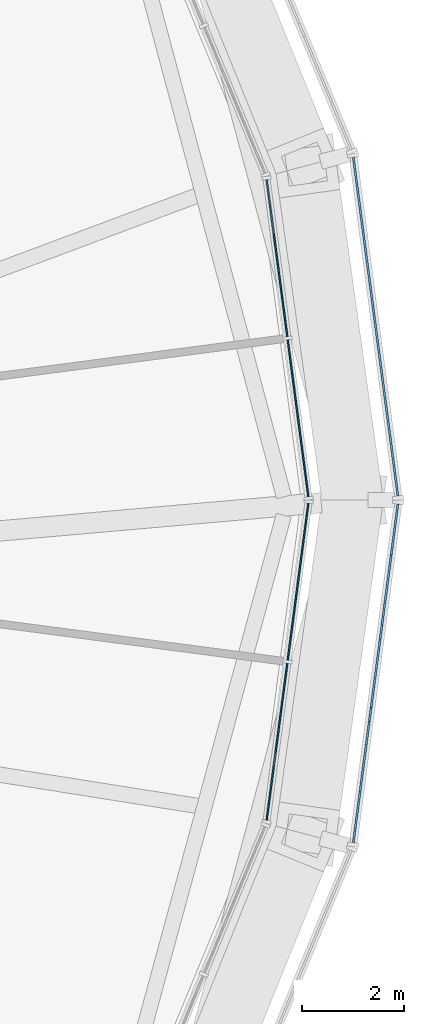
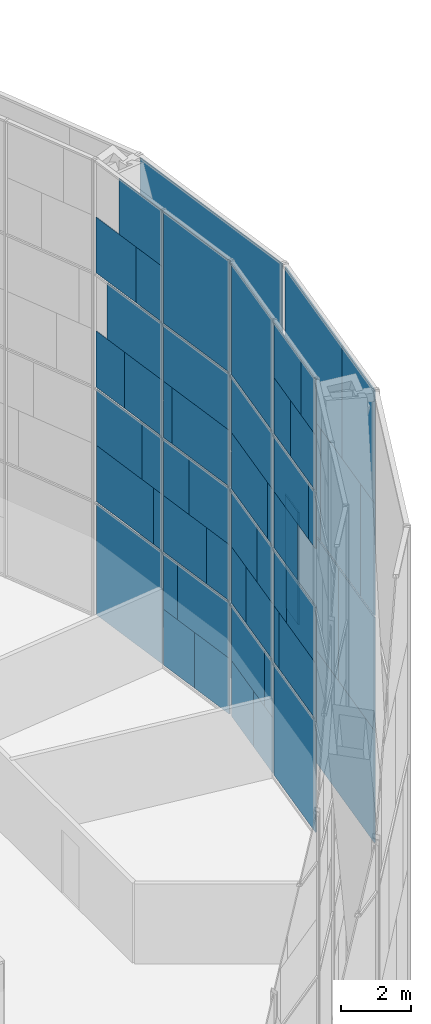
# One storey, part 20 of 29: 59 plates, 4 elements without a shape of their own.
"""IFC4 building model written with IfcOpenShell, lengths in metres."""

from ifc_helpers import new_model, si_unit, direction, frame, origin, origin_2d, place, context, subcontext, project, spatial, rectangle, extrude, material, layer, layer_set, type_object, element, aggregate, save


model = new_model("IFC4")

# Units and contexts
model_context = context("Model", 3, precision=1e-05, world=origin(), true_north=direction((0.0, 1.0)))
body_context = subcontext(model_context, "Body", "Model", "MODEL_VIEW")
ifc_project = project(units=[si_unit("LENGTHUNIT", "METRE"), si_unit("AREAUNIT", "SQUARE_METRE"), si_unit("VOLUMEUNIT", "CUBIC_METRE"), si_unit("PLANEANGLEUNIT", "RADIAN"), si_unit("MASSUNIT", "GRAM", prefix="KILO")], contexts=[model_context])

# Site, building, storey
site_placement = place(None, origin())
site = spatial("IfcSite", under=ifc_project, at=site_placement, CompositionType="ELEMENT")
building_placement = place(site_placement, origin())
building = spatial("IfcBuilding", under=site, at=building_placement, Name="Golbaran Civic Tower", CompositionType="ELEMENT")
storey_placement = place(building_placement, frame((0.0, 0.0, 118.0)))
storey = spatial("IfcBuildingStorey", under=building, at=storey_placement, Name="L28", CompositionType="ELEMENT", Elevation=118.0)

# Curtain wall, plates
ifc_material_1 = material(Name="Aluminium and glass", Category="aluminium")
curtain_wall_type_1 = type_object("IfcCurtainWallType", Name="INNER SKIN CURTAIN WALL", PredefinedType="NOTDEFINED", material=ifc_material_1)
curtain_wall_1_placement = place(storey_placement, origin())
curtain_wall_1 = element("IfcCurtainWall", 1, at=curtain_wall_1_placement, inside=storey, type_object=curtain_wall_type_1, Name="Inner skin L28 facet 1 CW1", ObjectType="INNER SKIN", PredefinedType="USERDEFINED")
ifc_material_2 = material(Name="Clear insulating glass", Category="glass")
ifc_layer_1 = layer(ifc_material_2, 0.031982421875, Name="Clear insulating glass")
ifc_layer_set_1 = layer_set([ifc_layer_1], Name="Clear insulating glass")
plate_type_1 = type_object("IfcPlateType", Name="INNER SKIN CURTAIN WALL GLAZED PANEL", PredefinedType="CURTAIN_PANEL", material=ifc_layer_set_1)
plate_1_placement = place(storey_placement, frame((24.215576171875, 2.41943359375, 0.06494140625), z_axis=(0.0, 0.0, 1.0), x_axis=(-0.130526192237, 0.991444861372, 0.0)))
plate_1 = element("IfcPlate", 2, at=plate_1_placement, type_object=plate_type_1, Name="CW1 panel 1.1 part 2", PredefinedType="CURTAIN_PANEL", context=body_context, shape_type="SweptSolid", body=[
    extrude(rectangle(XDim=1.458740234375, YDim=0.031982421875, at=origin_2d()), origin(), (0.0, 0.0, 1.0), 1.951171875),
])
plate_2_placement = place(storey_placement, frame((24.162841796875, 2.819580078125, 2.016357421875), z_axis=(0.0, 0.0, 1.0), x_axis=(-0.130526192237, 0.991444861372, 0.0)))
plate_2 = element("IfcPlate", 3, at=plate_2_placement, type_object=plate_type_1, Name="CW1 panel 1.1 part 4", PredefinedType="CURTAIN_PANEL", context=body_context, shape_type="SweptSolid", body=[
    extrude(rectangle(XDim=0.65185546875, YDim=0.031982421875, at=origin_2d()), origin(), (0.0, 0.0, 1.0), 1.951171875),
])
plate_3_placement = place(storey_placement, frame((24.454345703125, 0.605224609375, 4.03271484375), z_axis=(0.0, 0.0, 1.0), x_axis=(-0.130526192237, 0.991444861372, 0.0)))
plate_3 = element("IfcPlate", 4, at=plate_3_placement, type_object=plate_type_1, Name="CW1 panel 1.2 part 1", PredefinedType="CURTAIN_PANEL", context=body_context, shape_type="SweptSolid", body=[
    extrude(rectangle(XDim=1.091064453125, YDim=0.031982421875, at=origin_2d()), origin(), (0.0, 0.0, 1.0), 1.967529296875),
])
plate_4_placement = place(storey_placement, frame((24.401123046875, 1.0087890625, 6.0), z_axis=(0.0, 0.0, 1.0), x_axis=(-0.130526192237, 0.991444861372, 0.0)))
plate_4 = element("IfcPlate", 5, at=plate_4_placement, type_object=plate_type_1, Name="CW1 panel 1.2 part 3", PredefinedType="CURTAIN_PANEL", context=body_context, shape_type="SweptSolid", body=[
    extrude(rectangle(XDim=1.905029296875, YDim=0.031982421875, at=origin_2d()), origin(), (0.0, 0.0, 1.0), 1.967529296875),
])
plate_5_placement = place(storey_placement, frame((24.34912109375, 1.404296875, 8.03271484375), z_axis=(0.0, 0.0, 1.0), x_axis=(-0.130526192237, 0.991444861372, 0.0)))
plate_5 = element("IfcPlate", 6, at=plate_5_placement, type_object=plate_type_1, Name="CW1 panel 1.3 part 1", PredefinedType="CURTAIN_PANEL", context=body_context, shape_type="SweptSolid", body=[
    extrude(rectangle(XDim=2.702880859375, YDim=0.031982421875, at=origin_2d()), origin(), (0.0, 0.0, 1.0), 1.967529296875),
])
plate_6_placement = place(storey_placement, frame((24.322998046875, 1.603515625, 10.0), z_axis=(0.0, 0.0, 1.0), x_axis=(-0.130526192237, 0.991444861372, 0.0)))
plate_6 = element("IfcPlate", 7, at=plate_6_placement, type_object=plate_type_1, Name="CW1 panel 1.3 part 3", PredefinedType="CURTAIN_PANEL", context=body_context, shape_type="SweptSolid", body=[
    extrude(rectangle(XDim=3.104736328125, YDim=0.031982421875, at=origin_2d()), origin(), (0.0, 0.0, 1.0), 1.967529296875),
])
plate_7_placement = place(storey_placement, frame((24.322998046875, 1.603515625, 12.0322265625), z_axis=(0.0, 0.0, 1.0), x_axis=(-0.130526192237, 0.991444861372, 0.0)))
plate_7 = element("IfcPlate", 8, at=plate_7_placement, type_object=plate_type_1, Name="CW1 panel 1.4", PredefinedType="CURTAIN_PANEL", context=body_context, shape_type="SweptSolid", body=[
    extrude(rectangle(XDim=3.104736328125, YDim=0.031982421875, at=origin_2d()), origin(), (0.0, 0.0, 1.0), 3.902587890625),
])
plate_8_placement = place(storey_placement, frame((23.9091796875, 4.746337890625, 0.06494140625), z_axis=(0.0, 0.0, 1.0), x_axis=(-0.130526192237, 0.991444861372, 0.0)))
plate_8 = element("IfcPlate", 9, at=plate_8_placement, type_object=plate_type_1, Name="CW1 panel 2.1", PredefinedType="CURTAIN_PANEL", context=body_context, shape_type="SweptSolid", body=[
    extrude(rectangle(XDim=3.104736328125, YDim=0.031982421875, at=origin_2d()), origin(), (0.0, 0.0, 1.0), 3.902587890625),
])
plate_9_placement = place(storey_placement, frame((23.883056640625, 4.945068359375, 4.03271484375), z_axis=(0.0, 0.0, 1.0), x_axis=(-0.130526192237, 0.991444861372, 0.0)))
plate_9 = element("IfcPlate", 10, at=plate_9_placement, type_object=plate_type_1, Name="CW1 panel 2.2 part 2", PredefinedType="CURTAIN_PANEL", context=body_context, shape_type="SweptSolid", body=[
    extrude(rectangle(XDim=2.703857421875, YDim=0.031982421875, at=origin_2d()), origin(), (0.0, 0.0, 1.0), 1.967529296875),
])
plate_10_placement = place(storey_placement, frame((23.847900390625, 5.211669921875, 6.0), z_axis=(0.0, 0.0, 1.0), x_axis=(-0.130526192237, 0.991444861372, 0.0)))
plate_10 = element("IfcPlate", 11, at=plate_10_placement, type_object=plate_type_1, Name="CW1 panel 2.2 part 4", PredefinedType="CURTAIN_PANEL", context=body_context, shape_type="SweptSolid", body=[
    extrude(rectangle(XDim=2.165771484375, YDim=0.031982421875, at=origin_2d()), origin(), (0.0, 0.0, 1.0), 1.967529296875),
])
plate_11_placement = place(storey_placement, frame((23.79296875, 5.628662109375, 8.03271484375), z_axis=(0.0, 0.0, 1.0), x_axis=(-0.130526192237, 0.991444861372, 0.0)))
plate_11 = element("IfcPlate", 12, at=plate_11_placement, type_object=plate_type_1, Name="CW1 panel 2.3 part 2", PredefinedType="CURTAIN_PANEL", context=body_context, shape_type="SweptSolid", body=[
    extrude(rectangle(XDim=1.324951171875, YDim=0.031982421875, at=origin_2d()), origin(), (0.0, 0.0, 1.0), 1.967529296875),
])
plate_12_placement = place(storey_placement, frame((24.03125, 3.81787109375, 12.032470703125), z_axis=(0.0, 0.0, 1.0), x_axis=(-0.130526192237, 0.991444861372, 0.0)))
plate_12 = element("IfcPlate", 13, at=plate_12_placement, type_object=plate_type_1, Name="CW1 panel 2.4 part 1", PredefinedType="CURTAIN_PANEL", context=body_context, shape_type="SweptSolid", body=[
    extrude(rectangle(XDim=1.23193359375, YDim=0.031982421875, at=origin_2d()), origin(), (0.0, 0.0, 1.0), 1.951171875),
])
plate_13_placement = place(storey_placement, frame((23.978515625, 4.218505859375, 13.98388671875), z_axis=(0.0, 0.0, 1.0), x_axis=(-0.130526192237, 0.991444861372, 0.0)))
plate_13 = element("IfcPlate", 14, at=plate_13_placement, type_object=plate_type_1, Name="CW1 panel 2.4 part 3", PredefinedType="CURTAIN_PANEL", context=body_context, shape_type="SweptSolid", body=[
    extrude(rectangle(XDim=2.0400390625, YDim=0.031982421875, at=origin_2d()), origin(), (0.0, 0.0, 1.0), 1.951171875),
])

curtain_wall_2_placement = place(storey_placement, origin())
curtain_wall_2 = element("IfcCurtainWall", 15, at=curtain_wall_2_placement, inside=storey, type_object=curtain_wall_type_1, Name="Inner skin L28 facet 24 CW1", ObjectType="INNER SKIN", PredefinedType="USERDEFINED")
plate_14_placement = place(storey_placement, frame((23.9091796875, -4.746337890625, 0.06494140625), z_axis=(0.0, 0.0, 1.0), x_axis=(0.130526192237, 0.991444861372, 0.0)))
plate_14 = element("IfcPlate", 16, at=plate_14_placement, type_object=plate_type_1, Name="CW1 panel 1.1", PredefinedType="CURTAIN_PANEL", context=body_context, shape_type="SweptSolid", body=[
    extrude(rectangle(XDim=3.104736328125, YDim=0.031982421875, at=origin_2d()), origin(), (0.0, 0.0, 1.0), 3.902587890625),
])
plate_15_placement = place(storey_placement, frame((23.8828125, -4.945556640625, 4.03271484375), z_axis=(0.0, 0.0, 1.0), x_axis=(0.130526192237, 0.991444861372, 0.0)))
plate_15 = element("IfcPlate", 17, at=plate_15_placement, type_object=plate_type_1, Name="CW1 panel 1.2 part 1", PredefinedType="CURTAIN_PANEL", context=body_context, shape_type="SweptSolid", body=[
    extrude(rectangle(XDim=2.702880859375, YDim=0.031982421875, at=origin_2d()), origin(), (0.0, 0.0, 1.0), 1.967529296875),
])
plate_16_placement = place(storey_placement, frame((23.847900390625, -5.211669921875, 6.0), z_axis=(0.0, 0.0, 1.0), x_axis=(0.130526192237, 0.991444861372, 0.0)))
plate_16 = element("IfcPlate", 18, at=plate_16_placement, type_object=plate_type_1, Name="CW1 panel 1.2 part 3", PredefinedType="CURTAIN_PANEL", context=body_context, shape_type="SweptSolid", body=[
    extrude(rectangle(XDim=2.166015625, YDim=0.031982421875, at=origin_2d()), origin(), (0.0, 0.0, 1.0), 1.967529296875),
])
plate_17_placement = place(storey_placement, frame((23.73974609375, -6.03271484375, 10.0), z_axis=(0.0, 0.0, 1.0), x_axis=(0.130526192237, 0.991444861372, 0.0)))
plate_17 = element("IfcPlate", 19, at=plate_17_placement, type_object=plate_type_1, Name="CW1 panel 1.3 part 3", PredefinedType="CURTAIN_PANEL", context=body_context, shape_type="SweptSolid", body=[
    extrude(rectangle(XDim=0.510009765625, YDim=0.031982421875, at=origin_2d()), origin(), (0.0, 0.0, 1.0), 1.967529296875),
])
plate_18_placement = place(storey_placement, frame((24.031494140625, -3.81787109375, 12.032470703125), z_axis=(0.0, 0.0, 1.0), x_axis=(0.130526192237, 0.991444861372, 0.0)))
plate_18 = element("IfcPlate", 20, at=plate_18_placement, type_object=plate_type_1, Name="CW1 panel 1.4 part 2", PredefinedType="CURTAIN_PANEL", context=body_context, shape_type="SweptSolid", body=[
    extrude(rectangle(XDim=1.23193359375, YDim=0.031982421875, at=origin_2d()), origin(), (0.0, 0.0, 1.0), 1.951171875),
])
plate_19_placement = place(storey_placement, frame((23.978759765625, -4.21826171875, 13.98388671875), z_axis=(0.0, 0.0, 1.0), x_axis=(0.130526192237, 0.991444861372, 0.0)))
plate_19 = element("IfcPlate", 21, at=plate_19_placement, type_object=plate_type_1, Name="CW1 panel 1.4 part 4", PredefinedType="CURTAIN_PANEL", context=body_context, shape_type="SweptSolid", body=[
    extrude(rectangle(XDim=2.039794921875, YDim=0.031982421875, at=origin_2d()), origin(), (0.0, 0.0, 1.0), 1.951171875),
])
plate_20_placement = place(storey_placement, frame((24.215576171875, -2.41943359375, 0.06494140625), z_axis=(0.0, 0.0, 1.0), x_axis=(0.130526192237, 0.991444861372, 0.0)))
plate_20 = element("IfcPlate", 22, at=plate_20_placement, type_object=plate_type_1, Name="CW1 panel 2.1 part 1", PredefinedType="CURTAIN_PANEL", context=body_context, shape_type="SweptSolid", body=[
    extrude(rectangle(XDim=1.458984375, YDim=0.031982421875, at=origin_2d()), origin(), (0.0, 0.0, 1.0), 1.951171875),
])
plate_21_placement = place(storey_placement, frame((24.162841796875, -2.820068359375, 2.016357421875), z_axis=(0.0, 0.0, 1.0), x_axis=(0.130526192237, 0.991444861372, 0.0)))
plate_21 = element("IfcPlate", 23, at=plate_21_placement, type_object=plate_type_1, Name="CW1 panel 2.1 part 3", PredefinedType="CURTAIN_PANEL", context=body_context, shape_type="SweptSolid", body=[
    extrude(rectangle(XDim=0.65087890625, YDim=0.031982421875, at=origin_2d()), origin(), (0.0, 0.0, 1.0), 1.951171875),
])
plate_22_placement = place(storey_placement, frame((24.454345703125, -0.605224609375, 4.03271484375), z_axis=(0.0, 0.0, 1.0), x_axis=(0.130526192237, 0.991444861372, 0.0)))
plate_22 = element("IfcPlate", 24, at=plate_22_placement, type_object=plate_type_1, Name="CW1 panel 2.2 part 2", PredefinedType="CURTAIN_PANEL", context=body_context, shape_type="SweptSolid", body=[
    extrude(rectangle(XDim=1.0908203125, YDim=0.031982421875, at=origin_2d()), origin(), (0.0, 0.0, 1.0), 1.967529296875),
])
plate_23_placement = place(storey_placement, frame((24.401123046875, -1.00927734375, 6.0), z_axis=(0.0, 0.0, 1.0), x_axis=(0.130526192237, 0.991444861372, 0.0)))
plate_23 = element("IfcPlate", 25, at=plate_23_placement, type_object=plate_type_1, Name="CW1 panel 2.2 part 4", PredefinedType="CURTAIN_PANEL", context=body_context, shape_type="SweptSolid", body=[
    extrude(rectangle(XDim=1.90576171875, YDim=0.031982421875, at=origin_2d()), origin(), (0.0, 0.0, 1.0), 1.967529296875),
])
plate_24_placement = place(storey_placement, frame((24.348876953125, -1.4052734375, 8.03271484375), z_axis=(0.0, 0.0, 1.0), x_axis=(0.130526192237, 0.991444861372, 0.0)))
plate_24 = element("IfcPlate", 26, at=plate_24_placement, type_object=plate_type_1, Name="CW1 panel 2.3 part 2", PredefinedType="CURTAIN_PANEL", context=body_context, shape_type="SweptSolid", body=[
    extrude(rectangle(XDim=2.704833984375, YDim=0.031982421875, at=origin_2d()), origin(), (0.0, 0.0, 1.0), 1.967529296875),
])
plate_25_placement = place(storey_placement, frame((24.322998046875, -1.603515625, 10.0), z_axis=(0.0, 0.0, 1.0), x_axis=(0.130526192237, 0.991444861372, 0.0)))
plate_25 = element("IfcPlate", 27, at=plate_25_placement, type_object=plate_type_1, Name="CW1 panel 2.3 part 3", PredefinedType="CURTAIN_PANEL", context=body_context, shape_type="SweptSolid", body=[
    extrude(rectangle(XDim=3.104736328125, YDim=0.031982421875, at=origin_2d()), origin(), (0.0, 0.0, 1.0), 1.967529296875),
])
plate_26_placement = place(storey_placement, frame((24.322998046875, -1.603515625, 12.0322265625), z_axis=(0.0, 0.0, 1.0), x_axis=(0.130526192237, 0.991444861372, 0.0)))
plate_26 = element("IfcPlate", 28, at=plate_26_placement, type_object=plate_type_1, Name="CW1 panel 2.4", PredefinedType="CURTAIN_PANEL", context=body_context, shape_type="SweptSolid", body=[
    extrude(rectangle(XDim=3.104736328125, YDim=0.031982421875, at=origin_2d()), origin(), (0.0, 0.0, 1.0), 3.902587890625),
])

# Plate
ifc_material_3 = material(Name="Aluminium faced opaque infill panel", Category="aluminium")
ifc_layer_2 = layer(ifc_material_3, 0.031982421875, Name="Aluminium faced opaque infill panel")
ifc_layer_set_2 = layer_set([ifc_layer_2], Name="Aluminium faced opaque infill panel")
plate_type_2 = type_object("IfcPlateType", Name="INNER SKIN CURTAIN WALL OPAQUE INFILL PANEL", PredefinedType="CURTAIN_PANEL", material=ifc_layer_set_2)
plate_27_placement = place(storey_placement, frame((24.418212890625, 0.88037109375, 0.06494140625), z_axis=(0.0, 0.0, 1.0), x_axis=(-0.130526192237, 0.991444861372, 0.0)))
plate_27 = element("IfcPlate", 29, at=plate_27_placement, type_object=plate_type_2, Name="CW1 infill panel 1.1 part 1", PredefinedType="CURTAIN_PANEL", context=body_context, shape_type="SweptSolid", body=[
    extrude(rectangle(XDim=1.64599609375, YDim=0.031982421875, at=origin_2d()), origin(), (0.0, 0.0, 1.0), 1.951171875),
])

plate_28_placement = place(storey_placement, frame((24.365478515625, 1.280517578125, 2.016357421875), z_axis=(0.0, 0.0, 1.0), x_axis=(-0.130526192237, 0.991444861372, 0.0)))
plate_28 = element("IfcPlate", 30, at=plate_28_placement, type_object=plate_type_2, Name="CW1 infill panel 1.1 part 3", PredefinedType="CURTAIN_PANEL", context=body_context, shape_type="SweptSolid", body=[
    extrude(rectangle(XDim=2.452880859375, YDim=0.031982421875, at=origin_2d()), origin(), (0.0, 0.0, 1.0), 1.951171875),
])

plate_29_placement = place(storey_placement, frame((24.251708984375, 2.14453125, 4.03271484375), z_axis=(0.0, 0.0, 1.0), x_axis=(-0.130526192237, 0.991444861372, 0.0)))
plate_29 = element("IfcPlate", 31, at=plate_29_placement, type_object=plate_type_2, Name="CW1 infill panel 1.2 part 2", PredefinedType="CURTAIN_PANEL", context=body_context, shape_type="SweptSolid", body=[
    extrude(rectangle(XDim=2.013916015625, YDim=0.031982421875, at=origin_2d()), origin(), (0.0, 0.0, 1.0), 1.967529296875),
])

plate_30_placement = place(storey_placement, frame((24.198486328125, 2.5478515625, 6.0), z_axis=(0.0, 0.0, 1.0), x_axis=(-0.130526192237, 0.991444861372, 0.0)))
plate_30 = element("IfcPlate", 32, at=plate_30_placement, type_object=plate_type_2, Name="CW1 infill panel 1.2 part 4", PredefinedType="CURTAIN_PANEL", context=body_context, shape_type="SweptSolid", body=[
    extrude(rectangle(XDim=1.199951171875, YDim=0.031982421875, at=origin_2d()), origin(), (0.0, 0.0, 1.0), 1.967529296875),
])

plate_31_placement = place(storey_placement, frame((24.146484375, 2.943603515625, 8.03271484375), z_axis=(0.0, 0.0, 1.0), x_axis=(-0.130526192237, 0.991444861372, 0.0)))
plate_31 = element("IfcPlate", 33, at=plate_31_placement, type_object=plate_type_2, Name="CW1 infill panel 1.3 part 2", PredefinedType="CURTAIN_PANEL", context=body_context, shape_type="SweptSolid", body=[
    extrude(rectangle(XDim=0.40185546875, YDim=0.031982421875, at=origin_2d()), origin(), (0.0, 0.0, 1.0), 1.967529296875),
])

plate_32_placement = place(storey_placement, frame((24.085693359375, 3.406005859375, 4.03271484375), z_axis=(0.0, 0.0, 1.0), x_axis=(-0.130526192237, 0.991444861372, 0.0)))
plate_32 = element("IfcPlate", 34, at=plate_32_placement, type_object=plate_type_2, Name="CW1 infill panel 2.2 part 1", PredefinedType="CURTAIN_PANEL", context=body_context, shape_type="SweptSolid", body=[
    extrude(rectangle(XDim=0.40087890625, YDim=0.031982421875, at=origin_2d()), origin(), (0.0, 0.0, 1.0), 1.967529296875),
])

plate_33_placement = place(storey_placement, frame((24.050537109375, 3.672607421875, 6.0), z_axis=(0.0, 0.0, 1.0), x_axis=(-0.130526192237, 0.991444861372, 0.0)))
plate_33 = element("IfcPlate", 35, at=plate_33_placement, type_object=plate_type_2, Name="CW1 infill panel 2.2 part 3", PredefinedType="CURTAIN_PANEL", context=body_context, shape_type="SweptSolid", body=[
    extrude(rectangle(XDim=0.93896484375, YDim=0.031982421875, at=origin_2d()), origin(), (0.0, 0.0, 1.0), 1.967529296875),
])

plate_34_placement = place(storey_placement, frame((23.99560546875, 4.089599609375, 8.03271484375), z_axis=(0.0, 0.0, 1.0), x_axis=(-0.130526192237, 0.991444861372, 0.0)))
plate_34 = element("IfcPlate", 36, at=plate_34_placement, type_object=plate_type_2, Name="CW1 infill panel 2.3 part 1", PredefinedType="CURTAIN_PANEL", context=body_context, shape_type="SweptSolid", body=[
    extrude(rectangle(XDim=1.780029296875, YDim=0.031982421875, at=origin_2d()), origin(), (0.0, 0.0, 1.0), 1.967529296875),
])

plate_35_placement = place(storey_placement, frame((23.9423828125, 4.49365234375, 10.0), z_axis=(0.0, 0.0, 1.0), x_axis=(-0.130526192237, 0.991444861372, 0.0)))
plate_35 = element("IfcPlate", 37, at=plate_35_placement, type_object=plate_type_2, Name="CW1 infill panel 2.3 part 3", PredefinedType="CURTAIN_PANEL", context=body_context, shape_type="SweptSolid", body=[
    extrude(rectangle(XDim=2.594970703125, YDim=0.031982421875, at=origin_2d()), origin(), (0.0, 0.0, 1.0), 1.967529296875),
])

plate_36_placement = place(storey_placement, frame((23.82861328125, 5.35693359375, 12.032470703125), z_axis=(0.0, 0.0, 1.0), x_axis=(-0.130526192237, 0.991444861372, 0.0)))
plate_36 = element("IfcPlate", 38, at=plate_36_placement, type_object=plate_type_2, Name="CW1 infill panel 2.4 part 2", PredefinedType="CURTAIN_PANEL", context=body_context, shape_type="SweptSolid", body=[
    extrude(rectangle(XDim=1.872802734375, YDim=0.031982421875, at=origin_2d()), origin(), (0.0, 0.0, 1.0), 1.951171875),
])

aggregate(curtain_wall_1, [plate_27, plate_1, plate_28, plate_2, plate_3, plate_29, plate_4, plate_30, plate_5, plate_31, plate_6, plate_7, plate_8, plate_32, plate_9, plate_33, plate_10, plate_34, plate_11, plate_35, plate_12, plate_36, plate_13])

plate_37_placement = place(storey_placement, frame((24.08544921875, -3.40625, 4.03271484375), z_axis=(0.0, 0.0, 1.0), x_axis=(0.130526192237, 0.991444861372, 0.0)))
plate_37 = element("IfcPlate", 39, at=plate_37_placement, type_object=plate_type_2, Name="CW1 infill panel 1.2 part 2", PredefinedType="CURTAIN_PANEL", context=body_context, shape_type="SweptSolid", body=[
    extrude(rectangle(XDim=0.40185546875, YDim=0.031982421875, at=origin_2d()), origin(), (0.0, 0.0, 1.0), 1.967529296875),
])

plate_38_placement = place(storey_placement, frame((24.050537109375, -3.672607421875, 6.0), z_axis=(0.0, 0.0, 1.0), x_axis=(0.130526192237, 0.991444861372, 0.0)))
plate_38 = element("IfcPlate", 40, at=plate_38_placement, type_object=plate_type_2, Name="CW1 infill panel 1.2 part 4", PredefinedType="CURTAIN_PANEL", context=body_context, shape_type="SweptSolid", body=[
    extrude(rectangle(XDim=0.938720703125, YDim=0.031982421875, at=origin_2d()), origin(), (0.0, 0.0, 1.0), 1.967529296875),
])

plate_39_placement = place(storey_placement, frame((23.99560546875, -4.08935546875, 8.03271484375), z_axis=(0.0, 0.0, 1.0), x_axis=(0.130526192237, 0.991444861372, 0.0)))
plate_39 = element("IfcPlate", 41, at=plate_39_placement, type_object=plate_type_2, Name="CW1 infill panel 1.3 part 2", PredefinedType="CURTAIN_PANEL", context=body_context, shape_type="SweptSolid", body=[
    extrude(rectangle(XDim=1.77978515625, YDim=0.031982421875, at=origin_2d()), origin(), (0.0, 0.0, 1.0), 1.967529296875),
])

plate_40_placement = place(storey_placement, frame((23.9423828125, -4.493408203125, 10.0), z_axis=(0.0, 0.0, 1.0), x_axis=(0.130526192237, 0.991444861372, 0.0)))
plate_40 = element("IfcPlate", 42, at=plate_40_placement, type_object=plate_type_2, Name="CW1 infill panel 1.3 part 4", PredefinedType="CURTAIN_PANEL", context=body_context, shape_type="SweptSolid", body=[
    extrude(rectangle(XDim=2.5947265625, YDim=0.031982421875, at=origin_2d()), origin(), (0.0, 0.0, 1.0), 1.967529296875),
])

plate_41_placement = place(storey_placement, frame((23.828857421875, -5.35693359375, 12.032470703125), z_axis=(0.0, 0.0, 1.0), x_axis=(0.130526192237, 0.991444861372, 0.0)))
plate_41 = element("IfcPlate", 43, at=plate_41_placement, type_object=plate_type_2, Name="CW1 infill panel 1.4 part 1", PredefinedType="CURTAIN_PANEL", context=body_context, shape_type="SweptSolid", body=[
    extrude(rectangle(XDim=1.873046875, YDim=0.031982421875, at=origin_2d()), origin(), (0.0, 0.0, 1.0), 1.951171875),
])

plate_42_placement = place(storey_placement, frame((23.776123046875, -5.757568359375, 13.98388671875), z_axis=(0.0, 0.0, 1.0), x_axis=(0.130526192237, 0.991444861372, 0.0)))
plate_42 = element("IfcPlate", 44, at=plate_42_placement, type_object=plate_type_2, Name="CW1 infill panel 1.4 part 3", PredefinedType="CURTAIN_PANEL", context=body_context, shape_type="SweptSolid", body=[
    extrude(rectangle(XDim=1.06494140625, YDim=0.031982421875, at=origin_2d()), origin(), (0.0, 0.0, 1.0), 1.951171875),
])

plate_43_placement = place(storey_placement, frame((24.418212890625, -0.88037109375, 0.06494140625), z_axis=(0.0, 0.0, 1.0), x_axis=(0.130526192237, 0.991444861372, 0.0)))
plate_43 = element("IfcPlate", 45, at=plate_43_placement, type_object=plate_type_2, Name="CW1 infill panel 2.1 part 2", PredefinedType="CURTAIN_PANEL", context=body_context, shape_type="SweptSolid", body=[
    extrude(rectangle(XDim=1.645751953125, YDim=0.031982421875, at=origin_2d()), origin(), (0.0, 0.0, 1.0), 1.951171875),
])

plate_44_placement = place(storey_placement, frame((24.365478515625, -1.28076171875, 2.016357421875), z_axis=(0.0, 0.0, 1.0), x_axis=(0.130526192237, 0.991444861372, 0.0)))
plate_44 = element("IfcPlate", 46, at=plate_44_placement, type_object=plate_type_2, Name="CW1 infill panel 2.1 part 4", PredefinedType="CURTAIN_PANEL", context=body_context, shape_type="SweptSolid", body=[
    extrude(rectangle(XDim=2.453857421875, YDim=0.031982421875, at=origin_2d()), origin(), (0.0, 0.0, 1.0), 1.951171875),
])

plate_45_placement = place(storey_placement, frame((24.251708984375, -2.144287109375, 4.03271484375), z_axis=(0.0, 0.0, 1.0), x_axis=(0.130526192237, 0.991444861372, 0.0)))
plate_45 = element("IfcPlate", 47, at=plate_45_placement, type_object=plate_type_2, Name="CW1 infill panel 2.2 part 1", PredefinedType="CURTAIN_PANEL", context=body_context, shape_type="SweptSolid", body=[
    extrude(rectangle(XDim=2.013916015625, YDim=0.031982421875, at=origin_2d()), origin(), (0.0, 0.0, 1.0), 1.967529296875),
])

plate_46_placement = place(storey_placement, frame((24.198486328125, -2.54833984375, 6.0), z_axis=(0.0, 0.0, 1.0), x_axis=(0.130526192237, 0.991444861372, 0.0)))
plate_46 = element("IfcPlate", 48, at=plate_46_placement, type_object=plate_type_2, Name="CW1 infill panel 2.2 part 3", PredefinedType="CURTAIN_PANEL", context=body_context, shape_type="SweptSolid", body=[
    extrude(rectangle(XDim=1.198974609375, YDim=0.031982421875, at=origin_2d()), origin(), (0.0, 0.0, 1.0), 1.967529296875),
])

plate_47_placement = place(storey_placement, frame((24.146240234375, -2.9443359375, 8.03271484375), z_axis=(0.0, 0.0, 1.0), x_axis=(0.130526192237, 0.991444861372, 0.0)))
plate_47 = element("IfcPlate", 49, at=plate_47_placement, type_object=plate_type_2, Name="CW1 infill panel 2.3 part 1", PredefinedType="CURTAIN_PANEL", context=body_context, shape_type="SweptSolid", body=[
    extrude(rectangle(XDim=0.39990234375, YDim=0.031982421875, at=origin_2d()), origin(), (0.0, 0.0, 1.0), 1.967529296875),
])

aggregate(curtain_wall_2, [plate_14, plate_15, plate_37, plate_16, plate_38, plate_39, plate_17, plate_40, plate_41, plate_18, plate_42, plate_19, plate_20, plate_43, plate_21, plate_44, plate_45, plate_22, plate_46, plate_23, plate_47, plate_24, plate_25, plate_26])

# Curtain wall, plates
curtain_wall_type_2 = type_object("IfcCurtainWallType", Name="OUTER SKIN TERRACOTTA SCREEN", PredefinedType="NOTDEFINED", material=ifc_material_1)
curtain_wall_3_placement = place(storey_placement, origin())
curtain_wall_3 = element("IfcCurtainWall", 50, at=curtain_wall_3_placement, inside=storey, type_object=curtain_wall_type_2, Name="Outer skin L28 facet 24 CW3", ObjectType="OUTER SKIN", PredefinedType="USERDEFINED")
ifc_material_4 = material(Name="Clear laminated glass", Category="glass")
ifc_layer_3 = layer(ifc_material_4, 0.0400390625, Name="Clear laminated glass")
ifc_layer_set_3 = layer_set([ifc_layer_3], Name="Clear laminated glass")
plate_type_3 = type_object("IfcPlateType", Name="OUTER SKIN CLEAR GLASS PANEL", PredefinedType="CURTAIN_PANEL", material=ifc_layer_set_3)
plate_48_placement = place(storey_placement, frame((25.688720703125, -4.59033203125, -0.6298828125), z_axis=(0.0, 0.0, 1.0), x_axis=(0.130526192168, 0.991444861381, 0.0)))
plate_48 = element("IfcPlate", 51, at=plate_48_placement, type_object=plate_type_3, Name="CW3 panel 1.1 part 1", PredefinedType="CURTAIN_PANEL", context=body_context, shape_type="SweptSolid", body=[
    extrude(rectangle(XDim=4.30810546875, YDim=0.0400390625, at=origin_2d()), origin(), (0.0, 0.0, 1.0), 3.93994140625),
])
plate_49_placement = place(storey_placement, frame((25.582275390625, -5.398681640625, 3.31005859375), z_axis=(0.0, 0.0, 1.0), x_axis=(0.130526192168, 0.991444861381, 0.0)))
plate_49 = element("IfcPlate", 52, at=plate_49_placement, type_object=plate_type_3, Name="CW3 panel 1.1 part 3", PredefinedType="CURTAIN_PANEL", context=body_context, shape_type="SweptSolid", body=[
    extrude(rectangle(XDim=2.677001953125, YDim=0.0400390625, at=origin_2d()), origin(), (0.0, 0.0, 1.0), 3.93994140625),
])
plate_50_placement = place(storey_placement, frame((26.216796875, -0.578369140625, 3.31005859375), z_axis=(0.0, 0.0, 1.0), x_axis=(0.130526192168, 0.991444861381, 0.0)))
plate_50 = element("IfcPlate", 53, at=plate_50_placement, type_object=plate_type_3, Name="CW3 panel 1.1 part 5", PredefinedType="CURTAIN_PANEL", context=body_context, shape_type="SweptSolid", body=[
    extrude(rectangle(XDim=1.0068359375, YDim=0.0400390625, at=origin_2d()), origin(), (0.0, 0.0, 1.0), 3.93994140625),
])
plate_51_placement = place(storey_placement, frame((25.4736328125, -6.22314453125, 7.330078125), z_axis=(0.0, 0.0, 1.0), x_axis=(0.130526192168, 0.991444861381, 0.0)))
plate_51 = element("IfcPlate", 54, at=plate_51_placement, type_object=plate_type_3, Name="CW3 panel 1.2 part 1", PredefinedType="CURTAIN_PANEL", context=body_context, shape_type="SweptSolid", body=[
    extrude(rectangle(XDim=1.013916015625, YDim=0.0400390625, at=origin_2d()), origin(), (0.0, 0.0, 1.0), 3.93994140625),
])
plate_52_placement = place(storey_placement, frame((26.108154296875, -1.4033203125, 7.330078125), z_axis=(0.0, 0.0, 1.0), x_axis=(0.130526192168, 0.991444861381, 0.0)))
plate_52 = element("IfcPlate", 55, at=plate_52_placement, type_object=plate_type_3, Name="CW3 panel 1.2 part 3", PredefinedType="CURTAIN_PANEL", context=body_context, shape_type="SweptSolid", body=[
    extrude(rectangle(XDim=2.6708984375, YDim=0.0400390625, at=origin_2d()), origin(), (0.0, 0.0, 1.0), 3.93994140625),
])
plate_53_placement = place(storey_placement, frame((26.001953125, -2.21142578125, 11.27001953125), z_axis=(0.0, 0.0, 1.0), x_axis=(0.130526192168, 0.991444861381, 0.0)))
plate_53 = element("IfcPlate", 56, at=plate_53_placement, type_object=plate_type_3, Name="CW3 panel 1.2 part 5", PredefinedType="CURTAIN_PANEL", context=body_context, shape_type="SweptSolid", body=[
    extrude(rectangle(XDim=4.30078125, YDim=0.0400390625, at=origin_2d()), origin(), (0.0, 0.0, 1.0), 3.93994140625),
])
ifc_material_5 = material(Name="Terracotta baguette screen", Category="masonry")
ifc_layer_4 = layer(ifc_material_5, 0.0400390625, Name="Terracotta baguette screen")
ifc_layer_set_4 = layer_set([ifc_layer_4], Name="Terracotta baguette screen")
plate_type_4 = type_object("IfcPlateType", Name="OUTER SKIN TERRACOTTA INFILL PANEL", PredefinedType="CURTAIN_PANEL", material=ifc_layer_set_4)
plate_54_placement = place(storey_placement, frame((26.126220703125, -1.26708984375, -0.6298828125), z_axis=(0.0, 0.0, 1.0), x_axis=(0.130526192168, 0.991444861381, 0.0)))
plate_54 = element("IfcPlate", 57, at=plate_54_placement, type_object=plate_type_4, Name="CW3 infill panel 1.1 part 2", PredefinedType="CURTAIN_PANEL", context=body_context, shape_type="SweptSolid", body=[
    extrude(rectangle(XDim=2.395751953125, YDim=0.0400390625, at=origin_2d()), origin(), (0.0, 0.0, 1.0), 3.93994140625),
])
plate_55_placement = place(storey_placement, frame((25.9541015625, -2.57470703125, 3.31005859375), z_axis=(0.0, 0.0, 1.0), x_axis=(0.130526192168, 0.991444861381, 0.0)))
plate_55 = element("IfcPlate", 58, at=plate_55_placement, type_object=plate_type_4, Name="CW3 infill panel 1.1 part 4", PredefinedType="CURTAIN_PANEL", context=body_context, shape_type="SweptSolid", body=[
    extrude(rectangle(XDim=3.02001953125, YDim=0.0400390625, at=origin_2d()), origin(), (0.0, 0.0, 1.0), 3.93994140625),
])
plate_56_placement = place(storey_placement, frame((25.73681640625, -4.223876953125, 7.330078125), z_axis=(0.0, 0.0, 1.0), x_axis=(0.130526192168, 0.991444861381, 0.0)))
plate_56 = element("IfcPlate", 59, at=plate_56_placement, type_object=plate_type_4, Name="CW3 infill panel 1.2 part 2", PredefinedType="CURTAIN_PANEL", context=body_context, shape_type="SweptSolid", body=[
    extrude(rectangle(XDim=3.01904296875, YDim=0.0400390625, at=origin_2d()), origin(), (0.0, 0.0, 1.0), 3.93994140625),
])
plate_57_placement = place(storey_placement, frame((25.564453125, -5.53466796875, 11.27001953125), z_axis=(0.0, 0.0, 1.0), x_axis=(0.130526192168, 0.991444861381, 0.0)))
plate_57 = element("IfcPlate", 60, at=plate_57_placement, type_object=plate_type_4, Name="CW3 infill panel 1.2 part 4", PredefinedType="CURTAIN_PANEL", context=body_context, shape_type="SweptSolid", body=[
    extrude(rectangle(XDim=2.403076171875, YDim=0.0400390625, at=origin_2d()), origin(), (0.0, 0.0, 1.0), 3.93994140625),
])
aggregate(curtain_wall_3, [plate_48, plate_54, plate_49, plate_55, plate_50, plate_51, plate_56, plate_52, plate_57, plate_53])

curtain_wall_4_placement = place(storey_placement, origin())
curtain_wall_4 = element("IfcCurtainWall", 61, at=curtain_wall_4_placement, inside=storey, type_object=curtain_wall_type_2, Name="Outer skin L28 facet 1 CW3", ObjectType="OUTER SKIN", PredefinedType="USERDEFINED")
ifc_layer_5 = layer(ifc_material_5, 0.0400390625, Name="Terracotta baguette screen")
ifc_layer_set_5 = layer_set([ifc_layer_5], Name="Terracotta baguette screen")
plate_type_5 = type_object("IfcPlateType", Name="OUTER SKIN TERRACOTTA SCREEN PANEL", PredefinedType="CURTAIN_PANEL", material=ifc_layer_set_5)
plate_58_placement = place(storey_placement, frame((25.844970703125, 3.402587890625, -0.6298828125), z_axis=(0.0, 0.0, 1.0), x_axis=(-0.130526192168, 0.991444861381, 0.0)))
plate_58 = element("IfcPlate", 62, at=plate_58_placement, type_object=plate_type_5, Name="CW3 terracotta screen panel 1.1", PredefinedType="CURTAIN_PANEL", context=body_context, shape_type="SweptSolid", body=[
    extrude(rectangle(XDim=6.703857421875, YDim=0.0400390625, at=origin_2d()), origin(), (0.0, 0.0, 1.0), 7.8798828125),
])
plate_59_placement = place(storey_placement, frame((25.844970703125, 3.402587890625, 7.330078125), z_axis=(0.0, 0.0, 1.0), x_axis=(-0.130526192168, 0.991444861381, 0.0)))
plate_59 = element("IfcPlate", 63, at=plate_59_placement, type_object=plate_type_5, Name="CW3 terracotta screen panel 1.2", PredefinedType="CURTAIN_PANEL", context=body_context, shape_type="SweptSolid", body=[
    extrude(rectangle(XDim=6.703857421875, YDim=0.0400390625, at=origin_2d()), origin(), (0.0, 0.0, 1.0), 7.8798828125),
])
aggregate(curtain_wall_4, [plate_58, plate_59])

save(model, "model.ifc")
